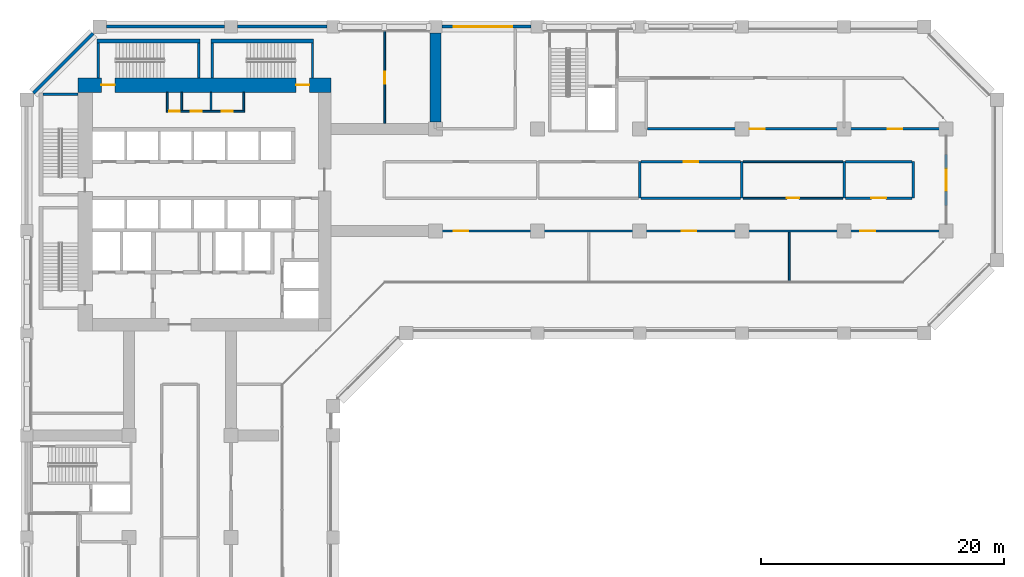
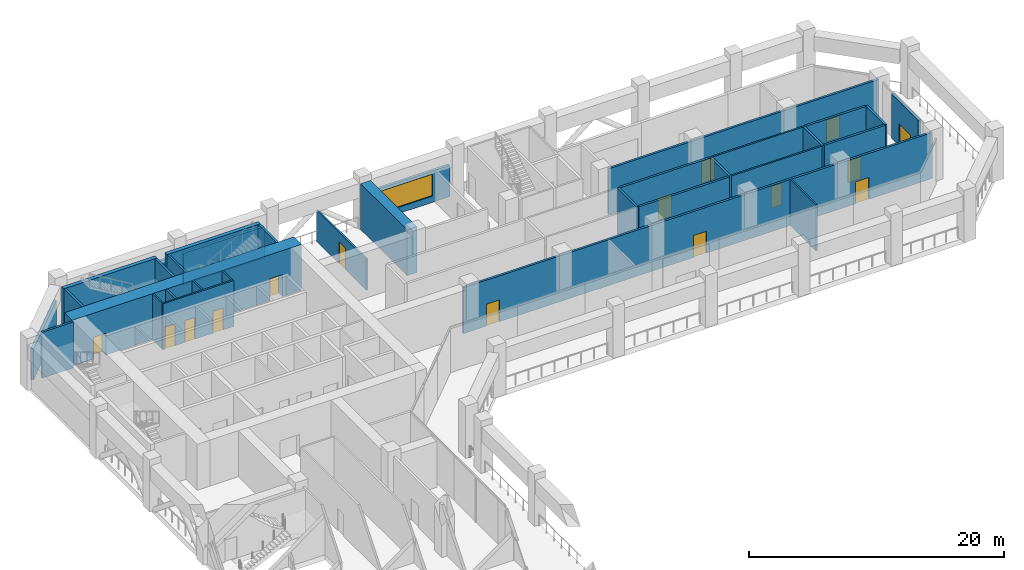
# One storey, part 9 of 19: 33 walls, 15 doors, 1 window, 16 openings.
"""IFC4 building model written with IfcOpenShell, lengths in metres."""

import ifcopenshell
import ifcopenshell.guid

model = None  # the IFC model being written
_history = None  # IfcOwnerHistory: only IFC2X3 demands one
_inside = {}  # id of a spatial element -> (the spatial element, [elements in it])
_under = {}  # id of a project, library or spatial element -> (it, [spatial elements below it])
_declared = {}  # id of a project -> (the project, [libraries it declares])
_typed = {}  # id of a type object -> (the type object, [elements of that type])
_made_of = {}  # id of a material, layer set ... -> (it, [elements and type objects made of it])


def new_model(schema):
    """Start an empty IFC model of exactly this schema.

    Asked for "IFC4X3", IfcOpenShell would pick the latest addendum, in which some entities
    have other attributes; the version numbers below select the first issue.
    IFC2X3 requires an IfcOwnerHistory on every rooted entity: one is made here for all.
    """
    global model, _history
    if schema == "IFC4X3":
        model = ifcopenshell.file(schema_version=(4, 3, 0, 0))
    else:
        model = ifcopenshell.file(schema=schema)
    _inside.clear()
    _under.clear()
    _declared.clear()
    _typed.clear()
    _made_of.clear()
    _history = None
    if model.schema == "IFC2X3":
        org = make("IfcOrganization", Name="unknown")
        user = make(
            "IfcPersonAndOrganization",
            ThePerson=make("IfcPerson", FamilyName="unknown"),
            TheOrganization=org,
        )
        app = make(
            "IfcApplication",
            ApplicationDeveloper=org,
            Version="unknown",
            ApplicationFullName="unknown",
            ApplicationIdentifier="unknown",
        )
        _history = make(
            "IfcOwnerHistory",
            OwningUser=user,
            OwningApplication=app,
            ChangeAction="ADDED",
            CreationDate=0,
        )
    return model


def make(cls, **values):
    """One entity of the class cls with the attributes given. An attribute that is None is left unset."""
    return model.create_entity(
        cls, **{name: value for name, value in values.items() if value is not None}
    )


def rooted(cls, **values):
    """An entity with a GlobalId (a new one), such as an element, a storey or a relation."""
    return make(cls, GlobalId=ifcopenshell.guid.new(), OwnerHistory=_history, **values)


def si_unit(unit_type, name, prefix=None):
    """IfcSIUnit, for example si_unit("LENGTHUNIT", "METRE", prefix="MILLI")."""
    return make("IfcSIUnit", UnitType=unit_type, Prefix=prefix, Name=name)


def assignment(units):
    """IfcUnitAssignment: the units of a project."""
    return None if units is None else make("IfcUnitAssignment", Units=units)


def point(xyz):
    """IfcCartesianPoint."""
    return None if xyz is None else make("IfcCartesianPoint", Coordinates=xyz)


def direction(xyz):
    """IfcDirection."""
    return None if xyz is None else make("IfcDirection", DirectionRatios=xyz)


def frame(location, z_axis=None, x_axis=None):
    """IfcAxis2Placement3D, a coordinate frame: its origin and axes. An axis left out is left unset."""
    return make(
        "IfcAxis2Placement3D",
        Location=point(location),
        Axis=direction(z_axis),
        RefDirection=direction(x_axis),
    )


def frame_2d(location, x_axis=None):
    """IfcAxis2Placement2D, a coordinate frame in the plane: its origin and x axis."""
    return make(
        "IfcAxis2Placement2D", Location=point(location), RefDirection=direction(x_axis)
    )


def origin():
    """The frame at (0, 0, 0) with its axes left unset."""
    return frame((0.0, 0.0, 0.0))


def place(relative_to, where):
    """IfcLocalPlacement: puts the frame where relative to a parent placement (None: the world)."""
    return make(
        "IfcLocalPlacement", PlacementRelTo=relative_to, RelativePlacement=where
    )


def context(
    kind, dimensions, precision=None, world=None, true_north=None, identifier=None
):
    """IfcGeometricRepresentationContext, for example the 3D "Model" context."""
    return make(
        "IfcGeometricRepresentationContext",
        ContextIdentifier=identifier,
        ContextType=kind,
        CoordinateSpaceDimension=dimensions,
        Precision=precision,
        WorldCoordinateSystem=world,
        TrueNorth=true_north,
    )


def subcontext(parent, identifier, kind, view, scale=None):
    """IfcGeometricRepresentationSubContext, for example "Body" below "Model"."""
    return make(
        "IfcGeometricRepresentationSubContext",
        ContextIdentifier=identifier,
        ContextType=kind,
        ParentContext=parent,
        TargetScale=scale,
        TargetView=view,
    )


def project(units=None, contexts=None):
    """IfcProject with its units and contexts."""
    return rooted(
        "IfcProject",
        Name="project",
        RepresentationContexts=contexts,
        UnitsInContext=assignment(units),
    )


def spatial(cls, under=None, at=None, **own):
    """A site, building, storey or space (cls), placed at a placement, below another one or the project."""
    s = rooted(cls, ObjectPlacement=at, **own)
    if under is not None:
        _under.setdefault(under.id(), (under, []))[1].append(s)
    return s


def profile(cls, at=None, kind="AREA", **sizes):
    """A parametric profile (cls). Its sizes go by their IFC names, for example OverallWidth=200.0."""
    return make(cls, ProfileType=kind, Position=at, **sizes)


def rectangle(**sizes):
    """IfcRectangleProfileDef."""
    return profile("IfcRectangleProfileDef", **sizes)


def extrude(swept, where, along, depth):
    """IfcExtrudedAreaSolid: the profile swept, set in the frame where, extruded along a direction by depth."""
    return make(
        "IfcExtrudedAreaSolid",
        SweptArea=swept,
        Position=where,
        ExtrudedDirection=direction(along),
        Depth=depth,
    )


def shape(context_of_items, identifier, shape_type, items):
    """IfcShapeRepresentation: the items that make up one representation, for example the "Body"."""
    return make(
        "IfcShapeRepresentation",
        ContextOfItems=context_of_items,
        RepresentationIdentifier=identifier,
        RepresentationType=shape_type,
        Items=items,
    )


def material(Name=None, Category=None):
    """IfcMaterial."""
    return make("IfcMaterial", Name=Name, Category=Category)


def layer(
    of_material, thickness, ventilated=None, Name=None, Category=None, Priority=None
):
    """IfcMaterialLayer: one layer of a wall or slab, of a material (None: an air gap)."""
    return make(
        "IfcMaterialLayer",
        Material=of_material,
        LayerThickness=thickness,
        IsVentilated=ventilated,
        Name=Name,
        Category=Category,
        Priority=Priority,
    )


def layer_set(layers, Name=None):
    """IfcMaterialLayerSet."""
    return make("IfcMaterialLayerSet", MaterialLayers=layers, LayerSetName=Name)


def made_of(thing, what):
    """Note that an element or type object is made of a material, layer set ...; save() writes the relation."""
    if what is not None:
        _made_of.setdefault(what.id(), (what, []))[1].append(thing)
    return thing


def type_object(cls, material=None, **own):
    """A type object (cls), such as IfcWallType, which elements share."""
    return made_of(rooted(cls, **own), material)


def element(
    cls,
    number,
    at=None,
    inside=None,
    cuts=None,
    type_object=None,
    material=None,
    context=None,
    identifier="Body",
    shape_type=None,
    held_by="IfcProductDefinitionShape",
    body=None,
    shapes=None,
    **own,
):
    """One element of the class cls, such as IfcWall. Its Tag is "e" and its number.

    at: its placement. inside: the storey or other place that contains it. cuts: it is an
    opening in that element (IfcRelVoidsElement). A single representation is given by context,
    identifier, shape_type and body (its items); several are given by shapes. held_by: the class
    of the entity that holds the representations. save() writes the other relations.
    """
    e = rooted(cls, Tag="e%d" % number, ObjectPlacement=at, **own)
    if body is not None:
        shapes = [shape(context, identifier, shape_type, body)]
    if shapes is not None:
        e.Representation = make(held_by, Representations=shapes)
    if inside is not None:
        _inside.setdefault(inside.id(), (inside, []))[1].append(e)
    if cuts is not None:
        rooted(
            "IfcRelVoidsElement", RelatingBuildingElement=cuts, RelatedOpeningElement=e
        )
    if type_object is not None:
        _typed.setdefault(type_object.id(), (type_object, []))[1].append(e)
    return made_of(e, material)


def fill(opening, filler):
    """IfcRelFillsElement: the door or window that sits in an opening."""
    return rooted(
        "IfcRelFillsElement",
        RelatingOpeningElement=opening,
        RelatedBuildingElement=filler,
    )


def aggregate(whole, parts):
    """IfcRelAggregates: a whole, such as a stair, and the parts it consists of."""
    return rooted("IfcRelAggregates", RelatingObject=whole, RelatedObjects=parts)


def save(model, path):
    """Write the relations noted so far, then the file.

    IfcRelAggregates (storeys below a building ...), IfcRelContainedInSpatialStructure (elements
    in a storey), IfcRelDefinesByType, IfcRelAssociatesMaterial and IfcRelDeclares: one each for
    every whole, place, type object, material and project.
    """
    for whole, parts in _under.values():
        aggregate(whole, parts)
    for where, things in _inside.values():
        rooted(
            "IfcRelContainedInSpatialStructure",
            RelatedElements=things,
            RelatingStructure=where,
        )
    for kind, things in _typed.values():
        rooted("IfcRelDefinesByType", RelatedObjects=things, RelatingType=kind)
    for what, things in _made_of.values():
        rooted("IfcRelAssociatesMaterial", RelatedObjects=things, RelatingMaterial=what)
    for by, libraries in _declared.values():
        rooted("IfcRelDeclares", RelatingContext=by, RelatedDefinitions=libraries)
    model.write(path)


model = new_model("IFC4")

# Units and contexts
model_context = context("Model", 3, precision=1e-05, world=origin(), true_north=direction((0.0, 1.0)))
body_context = subcontext(model_context, "Body", "Model", "MODEL_VIEW")
ifc_project = project(units=[si_unit("LENGTHUNIT", "METRE"), si_unit("AREAUNIT", "SQUARE_METRE"), si_unit("VOLUMEUNIT", "CUBIC_METRE"), si_unit("PLANEANGLEUNIT", "RADIAN"), si_unit("MASSUNIT", "GRAM", prefix="KILO")], contexts=[model_context])

# Site, building, storey
site_placement = place(None, origin())
site = spatial("IfcSite", under=ifc_project, at=site_placement, CompositionType="ELEMENT")
building_placement = place(site_placement, origin())
building = spatial("IfcBuilding", under=site, at=building_placement, Name="Kawkab Arch Medical Tower", CompositionType="ELEMENT")
storey_placement = place(building_placement, frame((0.0, 0.0, 93.800048828125)))
storey = spatial("IfcBuildingStorey", under=building, at=storey_placement, Name="L21", CompositionType="ELEMENT", Elevation=93.800048828125)

# Wall
ifc_material_1 = material(Name="Concrete C55/67", Category="concrete")
ifc_layer_1 = layer(ifc_material_1, 0.89990234375)
ifc_layer_set_1 = layer_set([ifc_layer_1], Name="Concrete C55/67")
wall_type_1 = type_object("IfcWallType", Name="Belt wall 900 C55/67", PredefinedType="SHEAR", material=ifc_layer_set_1)
wall_1_placement = place(storey_placement, frame((33.60009765625, -0.52490234375, 0.0), z_axis=(0.0, 0.0, 1.0), x_axis=(0.0, -1.0, 0.0)))
element("IfcWall", 1, at=wall_1_placement, inside=storey, type_object=wall_type_1, Name="Belt wall BW-L21-3", PredefinedType="SHEAR", context=body_context, shape_type="SweptSolid", body=[
    extrude(rectangle(XDim=7.300048828125, YDim=0.89990234375, at=frame_2d((3.64990234375, 0.0))), origin(), (0.0, 0.0, 1.0), 4.39990234375),
])

# Wall, openings, doors
ifc_material_2 = material(Name="Concrete C60/75", Category="concrete")
ifc_layer_2 = layer(ifc_material_2, 1.199951171875)
ifc_layer_set_2 = layer_set([ifc_layer_2], Name="Concrete C60/75")
wall_type_2 = type_object("IfcWallType", Name="Core ring wall 1200 C60/75", PredefinedType="SHEAR", material=ifc_layer_set_2)
wall_2_placement = place(storey_placement, frame((4.199951171875, -4.800048828125, 0.0), z_axis=(0.0, 0.0, 1.0), x_axis=(1.0, 0.0, 0.0)))
wall_2 = element("IfcWall", 2, at=wall_2_placement, inside=storey, type_object=wall_type_2, Name="L21 core wall", PredefinedType="SHEAR", context=body_context, shape_type="SweptSolid", body=[
    extrude(rectangle(XDim=20.800048828125, YDim=1.199951171875, at=frame_2d((10.39990234375, 0.0))), origin(), (0.0, 0.0, 1.0), 4.39990234375),
])
opening_1_placement = place(wall_2_placement, frame((1.949951171875, 0.0, 0.0)))
opening_1 = element("IfcOpeningElement", 3, at=opening_1_placement, cuts=wall_2, Name="Opening SD", PredefinedType="OPENING", context=body_context, shape_type="SweptSolid", body=[
    extrude(rectangle(XDim=1.10009765625, YDim=2.10009765625, at=frame_2d((0.550048828125, 1.050048828125))), frame((0.0, 0.60986328125, 0.0), z_axis=(0.0, -1.0, 0.0), x_axis=(1.0, 0.0, 0.0)), (0.0, 0.0, 1.0), 1.219970703125),
])
opening_2_placement = place(wall_2_placement, frame((17.949951171875, 0.0, 0.0)))
opening_2 = element("IfcOpeningElement", 4, at=opening_2_placement, cuts=wall_2, Name="Opening SD", PredefinedType="OPENING", context=body_context, shape_type="SweptSolid", body=[
    extrude(rectangle(XDim=1.10009765625, YDim=2.10009765625, at=frame_2d((0.550048828125, 1.050048828125))), frame((0.0, 0.60986328125, 0.0), z_axis=(0.0, -1.0, 0.0), x_axis=(1.0, 0.0, 0.0)), (0.0, 0.0, 1.0), 1.219970703125),
])
ifc_material_3 = material(Name="Hollow metal fire door leaf")
door_type_1 = type_object("IfcDoorType", Name="Exit stair door 1100", OperationType="SINGLE_SWING_LEFT", PredefinedType="DOOR", material=ifc_material_3)
door_1_placement = place(opening_1_placement, origin())
door_1 = element("IfcDoor", 5, at=door_1_placement, inside=storey, type_object=door_type_1, Name="L21 Exit stair ST3 door", OperationType="SINGLE_SWING_LEFT", OverallHeight=2.10009765625, OverallWidth=1.10009765625, PredefinedType="DOOR", context=body_context, shape_type="SweptSolid", body=[
    extrude(rectangle(XDim=1.10009765625, YDim=2.10009765625, at=frame_2d((0.550048828125, 1.050048828125))), frame((0.0, 0.02490234375, 0.0), z_axis=(0.0, -1.0, 0.0), x_axis=(1.0, 0.0, 0.0)), (0.0, 0.0, 1.0), 0.050048828125),
])
fill(opening_1, door_1)
door_2_placement = place(opening_2_placement, origin())
door_2 = element("IfcDoor", 6, at=door_2_placement, inside=storey, type_object=door_type_1, Name="L21 Exit stair ST4 door", OperationType="SINGLE_SWING_LEFT", OverallHeight=2.10009765625, OverallWidth=1.10009765625, PredefinedType="DOOR", context=body_context, shape_type="SweptSolid", body=[
    extrude(rectangle(XDim=1.10009765625, YDim=2.10009765625, at=frame_2d((0.550048828125, 1.050048828125))), frame((0.0, 0.02490234375, 0.0), z_axis=(0.0, -1.0, 0.0), x_axis=(1.0, 0.0, 0.0)), (0.0, 0.0, 1.0), 0.050048828125),
])
fill(opening_2, door_2)

ifc_material_4 = material(Name="Gypsum board on steel studs", Category="steel")
ifc_layer_3 = layer(ifc_material_4, 0.14990234375)
ifc_layer_set_3 = layer_set([ifc_layer_3], Name="Gypsum board on steel studs")
wall_type_3 = type_object("IfcWallType", Name="Core room partition 150", PredefinedType="PARTITIONING", material=ifc_layer_set_3)
wall_3_placement = place(storey_placement, frame((11.47509765625, -6.949951171875, 0.0), z_axis=(0.0, 0.0, 1.0), x_axis=(1.0, 0.0, 0.0)))
wall_3 = element("IfcWall", 7, at=wall_3_placement, inside=storey, type_object=wall_type_3, Name="L21 core room partition", PredefinedType="PARTITIONING", context=body_context, shape_type="SweptSolid", body=[
    extrude(rectangle(XDim=6.449951171875, YDim=0.14990234375, at=frame_2d((3.22509765625, 0.0))), origin(), (0.0, 0.0, 1.0), 4.39990234375),
])
opening_3_placement = place(wall_3_placement, frame((0.22509765625, 0.0, 0.0)))
opening_3 = element("IfcOpeningElement", 8, at=opening_3_placement, cuts=wall_3, Name="Opening RD", PredefinedType="OPENING", context=body_context, shape_type="SweptSolid", body=[
    extrude(rectangle(XDim=0.89990234375, YDim=2.10009765625, at=frame_2d((0.449951171875, 1.050048828125))), frame((0.0, 0.0849609375, 0.0), z_axis=(0.0, -1.0, 0.0), x_axis=(1.0, 0.0, 0.0)), (0.0, 0.0, 1.0), 0.169921875),
])
opening_4_placement = place(wall_3_placement, frame((2.02490234375, 0.0, 0.0)))
opening_4 = element("IfcOpeningElement", 9, at=opening_4_placement, cuts=wall_3, Name="Opening RD", PredefinedType="OPENING", context=body_context, shape_type="SweptSolid", body=[
    extrude(rectangle(XDim=0.89990234375, YDim=2.10009765625, at=frame_2d((0.449951171875, 1.050048828125))), frame((0.0, 0.0849609375, 0.0), z_axis=(0.0, -1.0, 0.0), x_axis=(1.0, 0.0, 0.0)), (0.0, 0.0, 1.0), 0.169921875),
])
opening_5_placement = place(wall_3_placement, frame((4.574951171875, 0.0, 0.0)))
opening_5 = element("IfcOpeningElement", 10, at=opening_5_placement, cuts=wall_3, Name="Opening RD", PredefinedType="OPENING", context=body_context, shape_type="SweptSolid", body=[
    extrude(rectangle(XDim=0.89990234375, YDim=2.10009765625, at=frame_2d((0.449951171875, 1.050048828125))), frame((0.0, 0.0849609375, 0.0), z_axis=(0.0, -1.0, 0.0), x_axis=(1.0, 0.0, 0.0)), (0.0, 0.0, 1.0), 0.169921875),
])
ifc_material_5 = material(Name="Hollow metal fire door leaf")
door_type_2 = type_object("IfcDoorType", Name="Core room door 900", OperationType="SINGLE_SWING_LEFT", PredefinedType="DOOR", material=ifc_material_5)
door_3_placement = place(opening_3_placement, origin())
door_3 = element("IfcDoor", 11, at=door_3_placement, inside=storey, type_object=door_type_2, Name="L21 Electrical riser room door", OperationType="SINGLE_SWING_LEFT", OverallHeight=2.10009765625, OverallWidth=0.89990234375, PredefinedType="DOOR", context=body_context, shape_type="SweptSolid", body=[
    extrude(rectangle(XDim=0.89990234375, YDim=2.10009765625, at=frame_2d((0.449951171875, 1.050048828125))), frame((0.0, 0.02490234375, 0.0), z_axis=(0.0, -1.0, 0.0), x_axis=(1.0, 0.0, 0.0)), (0.0, 0.0, 1.0), 0.050048828125),
])
fill(opening_3, door_3)
door_4_placement = place(opening_4_placement, origin())
door_4 = element("IfcDoor", 12, at=door_4_placement, inside=storey, type_object=door_type_2, Name="L21 Linen store door", OperationType="SINGLE_SWING_LEFT", OverallHeight=2.10009765625, OverallWidth=0.89990234375, PredefinedType="DOOR", context=body_context, shape_type="SweptSolid", body=[
    extrude(rectangle(XDim=0.89990234375, YDim=2.10009765625, at=frame_2d((0.449951171875, 1.050048828125))), frame((0.0, 0.02490234375, 0.0), z_axis=(0.0, -1.0, 0.0), x_axis=(1.0, 0.0, 0.0)), (0.0, 0.0, 1.0), 0.050048828125),
])
fill(opening_4, door_4)
door_5_placement = place(opening_5_placement, origin())
door_5 = element("IfcDoor", 13, at=door_5_placement, inside=storey, type_object=door_type_2, Name="L21 Clean utility room door", OperationType="SINGLE_SWING_LEFT", OverallHeight=2.10009765625, OverallWidth=0.89990234375, PredefinedType="DOOR", context=body_context, shape_type="SweptSolid", body=[
    extrude(rectangle(XDim=0.89990234375, YDim=2.10009765625, at=frame_2d((0.449951171875, 1.050048828125))), frame((0.0, 0.02490234375, 0.0), z_axis=(0.0, -1.0, 0.0), x_axis=(1.0, 0.0, 0.0)), (0.0, 0.0, 1.0), 0.050048828125),
])
fill(opening_5, door_5)

# Walls
for number, where, z_axis, x_axis, name in (
    (14, (11.550048828125, -6.875, 0.0), (0.0, 0.0, 1.0), (0.0, 1.0, 0.0), "L21 core room partition"),
    (15, (12.75, -6.875, 0.0), (0.0, 0.0, 1.0), (0.0, 1.0, 0.0), "L21 core room partition"),
    (16, (15.14990234375, -6.875, 0.0), (0.0, 0.0, 1.0), (0.0, 1.0, 0.0), "L21 core room partition"),
    (17, (17.85009765625, -6.875, 0.0), (0.0, 0.0, 1.0), (0.0, 1.0, 0.0), "L21 core room partition"),
):
    element("IfcWall", number, at=place(storey_placement, frame(where, z_axis=z_axis, x_axis=x_axis)), inside=storey, type_object=wall_type_3, Name=name, PredefinedType="PARTITIONING", context=body_context, shape_type="SweptSolid", body=[
        extrude(rectangle(XDim=1.47509765625, YDim=0.14990234375, at=frame_2d((0.737548828125, 0.0))), origin(), (0.0, 0.0, 1.0), 4.39990234375),
    ])
ifc_material_6 = material(Name="Bronze clad insulated wall panel")
ifc_layer_4 = layer(ifc_material_6, 0.25)
ifc_layer_set_4 = layer_set([ifc_layer_4], Name="Bronze clad insulated wall panel")
wall_type_4 = type_object("IfcWallType", Name="External wall bay 250", PredefinedType="SOLIDWALL", material=ifc_layer_set_4)
wall_4_placement = place(storey_placement, frame((5.449951171875, -0.550048828125, 0.0), z_axis=(0.0, 0.0, 1.0), x_axis=(-0.707106781187, -0.707106781187, 0.0)))
element("IfcWall", 18, at=wall_4_placement, inside=storey, type_object=wall_type_4, Name="Plant wall L21.R01.1", PredefinedType="SOLIDWALL", context=body_context, shape_type="SweptSolid", body=[
    extrude(rectangle(XDim=6.929443359375, YDim=0.25, at=frame_2d((3.46484375, 0.0))), origin(), (0.0, 0.0, 1.0), 3.0),
])

# Wall, opening, door
wall_5_placement = place(storey_placement, frame((75.60009765625, -14.699951171875, 0.0), z_axis=(0.0, 0.0, 1.0), x_axis=(0.0, 1.0, 0.0)))
wall_5 = element("IfcWall", 19, at=wall_5_placement, inside=storey, type_object=wall_type_4, Name="External wall bay L21.R13.1.2", PredefinedType="SOLIDWALL", context=body_context, shape_type="SweptSolid", body=[
    extrude(rectangle(XDim=4.199951171875, YDim=0.25, at=frame_2d((2.10009765625, 0.0))), origin(), (0.0, 0.0, 1.0), 4.239990234375),
])
opening_6_placement = place(wall_5_placement, frame((1.199951171875, 0.0, 0.0)))
opening_6 = element("IfcOpeningElement", 20, at=opening_6_placement, cuts=wall_5, Name="Opening PL1B-702", PredefinedType="OPENING", context=body_context, shape_type="SweptSolid", body=[
    extrude(rectangle(XDim=1.800048828125, YDim=2.10009765625, at=frame_2d((0.89990234375, 1.050048828125))), frame((0.0, 0.135009765625, 0.0), z_axis=(0.0, -1.0, 0.0), x_axis=(1.0, 0.0, 0.0)), (0.0, 0.0, 1.0), 0.27001953125),
])
ifc_material_7 = material(Name="Bronze anodised aluminium door with tinted glass", Category="aluminium")
door_type_3 = type_object("IfcDoorType", Name="Double external door 1800 x 2100", OperationType="DOUBLE_DOOR_SINGLE_SWING", PredefinedType="DOOR", material=ifc_material_7)
door_6_placement = place(opening_6_placement, origin())
door_6 = element("IfcDoor", 21, at=door_6_placement, inside=storey, type_object=door_type_3, Name="External door L21.R13.1.2", OperationType="DOUBLE_DOOR_SINGLE_SWING", OverallHeight=2.10009765625, OverallWidth=1.800048828125, PredefinedType="DOOR", context=body_context, shape_type="SweptSolid", body=[
    extrude(rectangle(XDim=1.800048828125, YDim=2.10009765625, at=frame_2d((0.89990234375, 1.050048828125))), frame((0.0, 0.02490234375, 0.0), z_axis=(0.0, -1.0, 0.0), x_axis=(1.0, 0.0, 0.0)), (0.0, 0.0, 1.0), 0.050048828125),
])
fill(opening_6, door_6)

# Wall, opening, window
wall_6_placement = place(storey_placement, frame((41.47509765625, 0.0, 0.0), z_axis=(0.0, 0.0, 1.0), x_axis=(-1.0, 0.0, 0.0)))
wall_6 = element("IfcWall", 22, at=wall_6_placement, inside=storey, type_object=wall_type_4, Name="Plant wall L21.R18.2", PredefinedType="SOLIDWALL", context=body_context, shape_type="SweptSolid", body=[
    extrude(rectangle(XDim=7.35009765625, YDim=0.25, at=frame_2d((3.675048828125, 0.0))), origin(), (0.0, 0.0, 1.0), 3.0),
])
opening_7_placement = place(wall_6_placement, frame((1.574951171875, 0.0, 0.60009765625)))
opening_7 = element("IfcOpeningElement", 23, at=opening_7_placement, cuts=wall_6, Name="Opening PW480-21-S6", PredefinedType="OPENING", context=body_context, shape_type="SweptSolid", body=[
    extrude(rectangle(XDim=4.800048828125, YDim=2.10009765625, at=frame_2d((2.39990234375, 1.050048828125))), frame((0.0, 0.135009765625, 0.0), z_axis=(0.0, -1.0, 0.0), x_axis=(1.0, 0.0, 0.0)), (0.0, 0.0, 1.0), 0.27001953125),
])
ifc_material_8 = material(Name="Bronze anodised aluminium louvred window", Category="aluminium")
window_type = type_object("IfcWindowType", Name="Plant louvre window 4800 x 2100 sill 600", PartitioningType="DOUBLE_PANEL_VERTICAL", PredefinedType="WINDOW", material=ifc_material_8)
window_placement = place(opening_7_placement, origin())
window = element("IfcWindow", 24, at=window_placement, inside=storey, type_object=window_type, Name="Plant louvre window L21.R18.2", OverallHeight=2.10009765625, OverallWidth=4.800048828125, PartitioningType="SINGLE_PANEL", PredefinedType="WINDOW", context=body_context, shape_type="SweptSolid", body=[
    extrude(rectangle(XDim=4.800048828125, YDim=2.10009765625, at=frame_2d((2.39990234375, 1.050048828125))), frame((0.0, 0.030029296875, 0.0), z_axis=(0.0, -1.0, 0.0), x_axis=(1.0, 0.0, 0.0)), (0.0, 0.0, 1.0), 0.06005859375),
])
fill(opening_7, window)

# Walls
wall_7_placement = place(storey_placement, frame((24.675048828125, 0.0, 0.0), z_axis=(0.0, 0.0, 1.0), x_axis=(-1.0, 0.0, 0.0)))
element("IfcWall", 25, at=wall_7_placement, inside=storey, type_object=wall_type_4, Name="Plant wall L21.R18.4", PredefinedType="SOLIDWALL", context=body_context, shape_type="SweptSolid", body=[
    extrude(rectangle(XDim=7.35009765625, YDim=0.25, at=frame_2d((3.675048828125, 0.0))), origin(), (0.0, 0.0, 1.0), 3.0),
])
wall_8_placement = place(storey_placement, frame((16.27490234375, 0.0, 0.0), z_axis=(0.0, 0.0, 1.0), x_axis=(-1.0, 0.0, 0.0)))
element("IfcWall", 26, at=wall_8_placement, inside=storey, type_object=wall_type_4, Name="Plant wall L21.R18.5", PredefinedType="SOLIDWALL", context=body_context, shape_type="SweptSolid", body=[
    extrude(rectangle(XDim=9.724853515625, YDim=0.25, at=frame_2d((4.8623046875, 0.0))), origin(), (0.0, 0.0, 1.0), 3.0),
])

# Wall, opening, door
ifc_material_9 = material(Name="Gypsum board partition on steel studs, mineral wool", Category="steel")
ifc_layer_5 = layer(ifc_material_9, 0.14990234375)
ifc_layer_set_5 = layer_set([ifc_layer_5], Name="Gypsum board partition on steel studs, mineral wool")
wall_type_5 = type_object("IfcWallType", Name="Partition 150", PredefinedType="PARTITIONING", material=ifc_layer_set_5)
wall_9_placement = place(storey_placement, frame((58.89990234375, -14.10009765625, 0.0), z_axis=(0.0, 0.0, 1.0), x_axis=(1.0, 0.0, 0.0)))
wall_9 = element("IfcWall", 27, at=wall_9_placement, inside=storey, type_object=wall_type_5, Name="Partition 150 w009", PredefinedType="PARTITIONING", context=body_context, shape_type="SweptSolid", body=[
    extrude(rectangle(XDim=8.2001953125, YDim=0.14990234375, at=frame_2d((4.10009765625, 0.0))), origin(), (0.0, 0.0, 1.0), 4.39990234375),
])
opening_8_placement = place(wall_9_placement, frame((3.60009765625, 0.0, 0.0)))
opening_8 = element("IfcOpeningElement", 28, at=opening_8_placement, cuts=wall_9, Name="Opening PL1B-002", PredefinedType="OPENING", context=body_context, shape_type="SweptSolid", body=[
    extrude(rectangle(XDim=1.0, YDim=2.10009765625, at=frame_2d((0.5, 1.050048828125))), frame((0.0, 0.0849609375, 0.0), z_axis=(0.0, -1.0, 0.0), x_axis=(1.0, 0.0, 0.0)), (0.0, 0.0, 1.0), 0.169921875),
])
ifc_material_10 = material(Name="Hollow metal door leaf")
door_type_4 = type_object("IfcDoorType", Name="Single door 1000x2100 FD30S", OperationType="NOTDEFINED", PredefinedType="DOOR", material=ifc_material_10)
door_7_placement = place(opening_8_placement, origin())
door_7 = element("IfcDoor", 29, at=door_7_placement, inside=storey, type_object=door_type_4, Name="Door PL1B-002", OperationType="SINGLE_SWING_LEFT", OverallHeight=2.10009765625, OverallWidth=1.0, PredefinedType="DOOR", context=body_context, shape_type="SweptSolid", body=[
    extrude(rectangle(XDim=1.0, YDim=2.10009765625, at=frame_2d((0.5, 1.050048828125))), frame((0.0, 0.02490234375, 0.0), z_axis=(0.0, -1.0, 0.0), x_axis=(1.0, 0.0, 0.0)), (0.0, 0.0, 1.0), 0.050048828125),
])
fill(opening_8, door_7)

# Wall
wall_10_placement = place(storey_placement, frame((58.89990234375, -11.10009765625, 0.0), z_axis=(0.0, 0.0, 1.0), x_axis=(1.0, 0.0, 0.0)))
element("IfcWall", 30, at=wall_10_placement, inside=storey, type_object=wall_type_5, Name="Partition 150 w011", PredefinedType="PARTITIONING", context=body_context, shape_type="SweptSolid", body=[
    extrude(rectangle(XDim=8.2001953125, YDim=0.14990234375, at=frame_2d((4.10009765625, 0.0))), origin(), (0.0, 0.0, 1.0), 4.39990234375),
])

# Wall, opening, door
wall_11_placement = place(storey_placement, frame((29.43994140625, -7.950927734375, 0.0), z_axis=(0.0, 0.0, 1.0), x_axis=(0.0, 1.0, 0.0)))
wall_11 = element("IfcWall", 31, at=wall_11_placement, inside=storey, type_object=wall_type_5, Name="Partition 150 w014", PredefinedType="PARTITIONING", context=body_context, shape_type="SweptSolid", body=[
    extrude(rectangle(XDim=7.7509765625, YDim=0.14990234375, at=frame_2d((3.87548828125, 0.0))), origin(), (0.0, 0.0, 1.0), 3.0),
])
opening_9_placement = place(wall_11_placement, frame((3.251953125, 0.0, 0.0)))
opening_9 = element("IfcOpeningElement", 32, at=opening_9_placement, cuts=wall_11, Name="Opening PL1B-004", PredefinedType="OPENING", context=body_context, shape_type="SweptSolid", body=[
    extrude(rectangle(XDim=1.0, YDim=2.10009765625, at=frame_2d((0.5, 1.050048828125))), frame((0.0, 0.0849609375, 0.0), z_axis=(0.0, -1.0, 0.0), x_axis=(1.0, 0.0, 0.0)), (0.0, 0.0, 1.0), 0.169921875),
])
door_8_placement = place(opening_9_placement, origin())
door_8 = element("IfcDoor", 33, at=door_8_placement, inside=storey, type_object=door_type_4, Name="Door PL1B-004", OperationType="SINGLE_SWING_RIGHT", OverallHeight=2.10009765625, OverallWidth=1.0, PredefinedType="DOOR", context=body_context, shape_type="SweptSolid", body=[
    extrude(rectangle(XDim=1.0, YDim=2.10009765625, at=frame_2d((0.5, 1.050048828125))), frame((0.0, 0.02490234375, 0.0), z_axis=(0.0, -1.0, 0.0), x_axis=(1.0, 0.0, 0.0)), (0.0, 0.0, 1.0), 0.050048828125),
])
fill(opening_9, door_8)

# Wall
wall_12_placement = place(storey_placement, frame((62.699951171875, -20.919921875, 0.0), z_axis=(0.0, 0.0, 1.0), x_axis=(0.0, 1.0, 0.0)))
element("IfcWall", 34, at=wall_12_placement, inside=storey, type_object=wall_type_5, Name="Partition 150 w016", PredefinedType="PARTITIONING", context=body_context, shape_type="SweptSolid", body=[
    extrude(rectangle(XDim=4.02001953125, YDim=0.14990234375, at=frame_2d((2.010009765625, 0.0))), origin(), (0.0, 0.0, 1.0), 4.39990234375),
])

# Wall, openings, doors
ifc_material_11 = material(Name="Fire-rated gypsum board partition on steel studs", Category="steel")
ifc_layer_6 = layer(ifc_material_11, 0.199951171875)
ifc_layer_set_6 = layer_set([ifc_layer_6], Name="Fire-rated gypsum board partition on steel studs")
wall_type_6 = type_object("IfcWallType", Name="Protected partition 200", PredefinedType="PARTITIONING", material=ifc_layer_set_6)
wall_13_placement = place(storey_placement, frame((33.02490234375, -16.800048828125, 0.0), z_axis=(0.0, 0.0, 1.0), x_axis=(1.0, 0.0, 0.0)))
wall_13 = element("IfcWall", 35, at=wall_13_placement, inside=storey, type_object=wall_type_6, Name="Protected partition 200 w023", PredefinedType="PARTITIONING", context=body_context, shape_type="SweptSolid", body=[
    extrude(rectangle(XDim=42.4951171875, YDim=0.199951171875, at=frame_2d((21.24755859375, 0.0))), origin(), (0.0, 0.0, 1.0), 4.39990234375),
])
opening_10_placement = place(wall_13_placement, frame((2.074951171875, 0.0, 0.0)))
opening_10 = element("IfcOpeningElement", 36, at=opening_10_placement, cuts=wall_13, Name="Opening PL1B-010", PredefinedType="OPENING", context=body_context, shape_type="SweptSolid", body=[
    extrude(rectangle(XDim=1.199951171875, YDim=2.10009765625, at=frame_2d((0.60009765625, 1.050048828125))), frame((0.0, 0.10986328125, 0.0), z_axis=(0.0, -1.0, 0.0), x_axis=(1.0, 0.0, 0.0)), (0.0, 0.0, 1.0), 0.219970703125),
])
opening_11_placement = place(wall_13_placement, frame((20.824951171875, 0.0, 0.0)))
opening_11 = element("IfcOpeningElement", 37, at=opening_11_placement, cuts=wall_13, Name="Opening PL1B-011", PredefinedType="OPENING", context=body_context, shape_type="SweptSolid", body=[
    extrude(rectangle(XDim=1.199951171875, YDim=2.10009765625, at=frame_2d((0.60009765625, 1.050048828125))), frame((0.0, 0.10986328125, 0.0), z_axis=(0.0, -1.0, 0.0), x_axis=(1.0, 0.0, 0.0)), (0.0, 0.0, 1.0), 0.219970703125),
])
opening_12_placement = place(wall_13_placement, frame((35.52490234375, 0.0, 0.0)))
opening_12 = element("IfcOpeningElement", 38, at=opening_12_placement, cuts=wall_13, Name="Opening PL1B-012", PredefinedType="OPENING", context=body_context, shape_type="SweptSolid", body=[
    extrude(rectangle(XDim=1.199951171875, YDim=2.10009765625, at=frame_2d((0.60009765625, 1.050048828125))), frame((0.0, 0.10986328125, 0.0), z_axis=(0.0, -1.0, 0.0), x_axis=(1.0, 0.0, 0.0)), (0.0, 0.0, 1.0), 0.219970703125),
])
ifc_material_12 = material(Name="Hollow metal door leaf")
door_type_5 = type_object("IfcDoorType", Name="Single door 1200x2100 FD60", OperationType="NOTDEFINED", PredefinedType="DOOR", material=ifc_material_12)
door_9_placement = place(opening_10_placement, origin())
door_9 = element("IfcDoor", 39, at=door_9_placement, inside=storey, type_object=door_type_5, Name="Door PL1B-010", OperationType="SINGLE_SWING_RIGHT", OverallHeight=2.10009765625, OverallWidth=1.199951171875, PredefinedType="DOOR", context=body_context, shape_type="SweptSolid", body=[
    extrude(rectangle(XDim=1.199951171875, YDim=2.10009765625, at=frame_2d((0.60009765625, 1.050048828125))), frame((0.0, 0.02490234375, 0.0), z_axis=(0.0, -1.0, 0.0), x_axis=(1.0, 0.0, 0.0)), (0.0, 0.0, 1.0), 0.050048828125),
])
fill(opening_10, door_9)
door_10_placement = place(opening_11_placement, origin())
door_10 = element("IfcDoor", 40, at=door_10_placement, inside=storey, type_object=door_type_5, Name="Door PL1B-011", OperationType="SINGLE_SWING_LEFT", OverallHeight=2.10009765625, OverallWidth=1.199951171875, PredefinedType="DOOR", context=body_context, shape_type="SweptSolid", body=[
    extrude(rectangle(XDim=1.199951171875, YDim=2.10009765625, at=frame_2d((0.60009765625, 1.050048828125))), frame((0.0, 0.02490234375, 0.0), z_axis=(0.0, -1.0, 0.0), x_axis=(1.0, 0.0, 0.0)), (0.0, 0.0, 1.0), 0.050048828125),
])
fill(opening_11, door_10)
door_11_placement = place(opening_12_placement, origin())
door_11 = element("IfcDoor", 41, at=door_11_placement, inside=storey, type_object=door_type_5, Name="Door PL1B-012", OperationType="SINGLE_SWING_LEFT", OverallHeight=2.10009765625, OverallWidth=1.199951171875, PredefinedType="DOOR", context=body_context, shape_type="SweptSolid", body=[
    extrude(rectangle(XDim=1.199951171875, YDim=2.10009765625, at=frame_2d((0.60009765625, 1.050048828125))), frame((0.0, 0.02490234375, 0.0), z_axis=(0.0, -1.0, 0.0), x_axis=(1.0, 0.0, 0.0)), (0.0, 0.0, 1.0), 0.050048828125),
])
fill(opening_12, door_11)

# Wall
wall_14_placement = place(storey_placement, frame((50.5, -14.10009765625, 0.0), z_axis=(0.0, 0.0, 1.0), x_axis=(1.0, 0.0, 0.0)))
element("IfcWall", 42, at=wall_14_placement, inside=storey, type_object=wall_type_6, Name="Protected partition 200 w025", PredefinedType="PARTITIONING", context=body_context, shape_type="SweptSolid", body=[
    extrude(rectangle(XDim=8.199951171875, YDim=0.199951171875, at=frame_2d((4.10009765625, 0.0))), origin(), (0.0, 0.0, 1.0), 4.39990234375),
])

# Wall, opening, door
wall_15_placement = place(storey_placement, frame((67.300048828125, -14.10009765625, 0.0), z_axis=(0.0, 0.0, 1.0), x_axis=(1.0, 0.0, 0.0)))
wall_15 = element("IfcWall", 43, at=wall_15_placement, inside=storey, type_object=wall_type_6, Name="Protected partition 200 w026", PredefinedType="PARTITIONING", context=body_context, shape_type="SweptSolid", body=[
    extrude(rectangle(XDim=5.5, YDim=0.199951171875, at=frame_2d((2.75, 0.0))), origin(), (0.0, 0.0, 1.0), 4.39990234375),
])
opening_13_placement = place(wall_15_placement, frame((2.14990234375, 0.0, 0.0)))
opening_13 = element("IfcOpeningElement", 44, at=opening_13_placement, cuts=wall_15, Name="Opening PL1B-009", PredefinedType="OPENING", context=body_context, shape_type="SweptSolid", body=[
    extrude(rectangle(XDim=1.199951171875, YDim=2.10009765625, at=frame_2d((0.60009765625, 1.050048828125))), frame((0.0, 0.10986328125, 0.0), z_axis=(0.0, -1.0, 0.0), x_axis=(1.0, 0.0, 0.0)), (0.0, 0.0, 1.0), 0.219970703125),
])
door_12_placement = place(opening_13_placement, origin())
door_12 = element("IfcDoor", 45, at=door_12_placement, inside=storey, type_object=door_type_5, Name="Door PL1B-009", OperationType="SINGLE_SWING_RIGHT", OverallHeight=2.10009765625, OverallWidth=1.199951171875, PredefinedType="DOOR", context=body_context, shape_type="SweptSolid", body=[
    extrude(rectangle(XDim=1.199951171875, YDim=2.10009765625, at=frame_2d((0.60009765625, 1.050048828125))), frame((0.0, 0.02490234375, 0.0), z_axis=(0.0, -1.0, 0.0), x_axis=(1.0, 0.0, 0.0)), (0.0, 0.0, 1.0), 0.050048828125),
])
fill(opening_13, door_12)

wall_16_placement = place(storey_placement, frame((50.5, -11.10009765625, 0.0), z_axis=(0.0, 0.0, 1.0), x_axis=(1.0, 0.0, 0.0)))
wall_16 = element("IfcWall", 46, at=wall_16_placement, inside=storey, type_object=wall_type_6, Name="Protected partition 200 w028", PredefinedType="PARTITIONING", context=body_context, shape_type="SweptSolid", body=[
    extrude(rectangle(XDim=8.199951171875, YDim=0.199951171875, at=frame_2d((4.10009765625, 0.0))), origin(), (0.0, 0.0, 1.0), 4.39990234375),
])
opening_14_placement = place(wall_16_placement, frame((3.5, 0.0, 0.0)))
opening_14 = element("IfcOpeningElement", 47, at=opening_14_placement, cuts=wall_16, Name="Opening PL1B-008", PredefinedType="OPENING", context=body_context, shape_type="SweptSolid", body=[
    extrude(rectangle(XDim=1.199951171875, YDim=2.10009765625, at=frame_2d((0.60009765625, 1.050048828125))), frame((0.0, 0.10986328125, 0.0), z_axis=(0.0, -1.0, 0.0), x_axis=(1.0, 0.0, 0.0)), (0.0, 0.0, 1.0), 0.219970703125),
])
door_13_placement = place(opening_14_placement, origin())
door_13 = element("IfcDoor", 48, at=door_13_placement, inside=storey, type_object=door_type_5, Name="Door PL1B-008", OperationType="SINGLE_SWING_LEFT", OverallHeight=2.10009765625, OverallWidth=1.199951171875, PredefinedType="DOOR", context=body_context, shape_type="SweptSolid", body=[
    extrude(rectangle(XDim=1.199951171875, YDim=2.10009765625, at=frame_2d((0.60009765625, 1.050048828125))), frame((0.0, 0.02490234375, 0.0), z_axis=(0.0, -1.0, 0.0), x_axis=(1.0, 0.0, 0.0)), (0.0, 0.0, 1.0), 0.050048828125),
])
fill(opening_14, door_13)

# Wall
wall_17_placement = place(storey_placement, frame((67.300048828125, -11.10009765625, 0.0), z_axis=(0.0, 0.0, 1.0), x_axis=(1.0, 0.0, 0.0)))
element("IfcWall", 49, at=wall_17_placement, inside=storey, type_object=wall_type_6, Name="Protected partition 200 w029", PredefinedType="PARTITIONING", context=body_context, shape_type="SweptSolid", body=[
    extrude(rectangle(XDim=5.4970703125, YDim=0.199951171875, at=frame_2d((2.74853515625, 0.0))), origin(), (0.0, 0.0, 1.0), 4.39990234375),
])

# Wall, openings, doors
wall_18_placement = place(storey_placement, frame((51.027099609375, -8.39990234375, 0.0), z_axis=(0.0, 0.0, 1.0), x_axis=(1.0, 0.0, 0.0)))
wall_18 = element("IfcWall", 50, at=wall_18_placement, inside=storey, type_object=wall_type_6, Name="Protected partition 200 w031", PredefinedType="PARTITIONING", context=body_context, shape_type="SweptSolid", body=[
    extrude(rectangle(XDim=24.492919921875, YDim=0.199951171875, at=frame_2d((12.24658203125, 0.0))), origin(), (0.0, 0.0, 1.0), 4.39990234375),
])
opening_15_placement = place(wall_18_placement, frame((8.43603515625, 0.0, 0.0)))
opening_15 = element("IfcOpeningElement", 51, at=opening_15_placement, cuts=wall_18, Name="Opening PL1B-005", PredefinedType="OPENING", context=body_context, shape_type="SweptSolid", body=[
    extrude(rectangle(XDim=1.199951171875, YDim=2.10009765625, at=frame_2d((0.60009765625, 1.050048828125))), frame((0.0, 0.10986328125, 0.0), z_axis=(0.0, -1.0, 0.0), x_axis=(1.0, 0.0, 0.0)), (0.0, 0.0, 1.0), 0.219970703125),
])
opening_16_placement = place(wall_18_placement, frame((19.77294921875, 0.0, 0.0)))
opening_16 = element("IfcOpeningElement", 52, at=opening_16_placement, cuts=wall_18, Name="Opening PL1B-006", PredefinedType="OPENING", context=body_context, shape_type="SweptSolid", body=[
    extrude(rectangle(XDim=1.199951171875, YDim=2.10009765625, at=frame_2d((0.60009765625, 1.050048828125))), frame((0.0, 0.10986328125, 0.0), z_axis=(0.0, -1.0, 0.0), x_axis=(1.0, 0.0, 0.0)), (0.0, 0.0, 1.0), 0.219970703125),
])
door_14_placement = place(opening_15_placement, origin())
door_14 = element("IfcDoor", 53, at=door_14_placement, inside=storey, type_object=door_type_5, Name="Door PL1B-005", OperationType="SINGLE_SWING_LEFT", OverallHeight=2.10009765625, OverallWidth=1.199951171875, PredefinedType="DOOR", context=body_context, shape_type="SweptSolid", body=[
    extrude(rectangle(XDim=1.199951171875, YDim=2.10009765625, at=frame_2d((0.60009765625, 1.050048828125))), frame((0.0, 0.02490234375, 0.0), z_axis=(0.0, -1.0, 0.0), x_axis=(1.0, 0.0, 0.0)), (0.0, 0.0, 1.0), 0.050048828125),
])
fill(opening_15, door_14)
door_15_placement = place(opening_16_placement, origin())
door_15 = element("IfcDoor", 54, at=door_15_placement, inside=storey, type_object=door_type_5, Name="Door PL1B-006", OperationType="SINGLE_SWING_RIGHT", OverallHeight=2.10009765625, OverallWidth=1.199951171875, PredefinedType="DOOR", context=body_context, shape_type="SweptSolid", body=[
    extrude(rectangle(XDim=1.199951171875, YDim=2.10009765625, at=frame_2d((0.60009765625, 1.050048828125))), frame((0.0, 0.02490234375, 0.0), z_axis=(0.0, -1.0, 0.0), x_axis=(1.0, 0.0, 0.0)), (0.0, 0.0, 1.0), 0.050048828125),
])
fill(opening_16, door_15)

# Walls
for number, where, z_axis, x_axis, name in (
    (55, (50.39990234375, -14.10009765625, 0.0), (0.0, 0.0, 1.0), (0.0, 1.0, 0.0), "Protected partition 200 w042"),
    (56, (58.800048828125, -14.10009765625, 0.0), (0.0, 0.0, 1.0), (0.0, 1.0, 0.0), "Protected partition 200 w044"),
    (57, (67.199951171875, -14.10009765625, 0.0), (0.0, 0.0, 1.0), (0.0, 1.0, 0.0), "Protected partition 200 w045"),
):
    element("IfcWall", number, at=place(storey_placement, frame(where, z_axis=z_axis, x_axis=x_axis)), inside=storey, type_object=wall_type_6, Name=name, PredefinedType="PARTITIONING", context=body_context, shape_type="SweptSolid", body=[
        extrude(rectangle(XDim=3.0, YDim=0.199951171875, at=frame_2d((1.5, 0.0))), origin(), (0.0, 0.0, 1.0), 4.39990234375),
    ])
wall_19_placement = place(storey_placement, frame((72.89990234375, -14.10009765625, 0.0), z_axis=(0.0, 0.0, 1.0), x_axis=(0.0, 1.0, 0.0)))
element("IfcWall", 58, at=wall_19_placement, inside=storey, type_object=wall_type_6, Name="Protected partition 200 w046", PredefinedType="PARTITIONING", context=body_context, shape_type="SweptSolid", body=[
    extrude(rectangle(XDim=2.9970703125, YDim=0.199951171875, at=frame_2d((1.49853515625, 0.0))), origin(), (0.0, 0.0, 1.0), 4.39990234375),
])
ifc_material_13 = material(Name="Concrete C50/60", Category="concrete")
ifc_layer_7 = layer(ifc_material_13, 0.199951171875)
ifc_layer_set_7 = layer_set([ifc_layer_7], Name="Concrete C50/60")
wall_type_7 = type_object("IfcWallType", Name="Stair enclosure wall 200 C50/60", PredefinedType="SHEAR", material=ifc_layer_set_7)
for number, where, z_axis, x_axis, name in (
    (59, (1.35009765625, -5.550048828125, 0.0), (0.0, 0.0, 1.0), (1.0, 0.0, 0.0), "L21 stair enclosure wall"),
    (60, (5.89990234375, -4.199951171875, 0.0), (0.0, 0.0, 1.0), (0.0, 1.0, 0.0), "L21 stair enclosure wall"),
    (61, (14.14990234375, -4.199951171875, 0.0), (0.0, 0.0, 1.0), (0.0, 1.0, 0.0), "L21 stair enclosure wall"),
    (62, (15.25, -4.199951171875, 0.0), (0.0, 0.0, 1.0), (0.0, 1.0, 0.0), "L21 stair enclosure wall"),
    (63, (23.5, -4.199951171875, 0.0), (0.0, 0.0, 1.0), (0.0, 1.0, 0.0), "L21 stair enclosure wall"),
):
    element("IfcWall", number, at=place(storey_placement, frame(where, z_axis=z_axis, x_axis=x_axis)), inside=storey, type_object=wall_type_7, Name=name, PredefinedType="SHEAR", context=body_context, shape_type="SweptSolid", body=[
        extrude(rectangle(XDim=2.849853515625, YDim=0.199951171875, at=frame_2d((1.4248046875, 0.0))), origin(), (0.0, 0.0, 1.0), 4.39990234375),
    ])
ifc_material_14 = material(Name="Concrete C50/60", Category="concrete")
ifc_layer_8 = layer(ifc_material_14, 0.35009765625)
ifc_layer_set_8 = layer_set([ifc_layer_8], Name="Concrete C50/60")
wall_type_8 = type_object("IfcWallType", Name="Stair enclosure wall 350 C50/60", PredefinedType="SHEAR", material=ifc_layer_set_8)
wall_20_placement = place(storey_placement, frame((5.800048828125, -1.175048828125, 0.0), z_axis=(0.0, 0.0, 1.0), x_axis=(1.0, 0.0, 0.0)))
element("IfcWall", 64, at=wall_20_placement, inside=storey, type_object=wall_type_8, Name="L21 stair enclosure wall", PredefinedType="SHEAR", context=body_context, shape_type="SweptSolid", body=[
    extrude(rectangle(XDim=8.449951171875, YDim=0.35009765625, at=frame_2d((4.22509765625, 0.0))), origin(), (0.0, 0.0, 1.0), 4.39990234375),
])
wall_21_placement = place(storey_placement, frame((15.14990234375, -1.175048828125, 0.0), z_axis=(0.0, 0.0, 1.0), x_axis=(1.0, 0.0, 0.0)))
element("IfcWall", 65, at=wall_21_placement, inside=storey, type_object=wall_type_8, Name="L21 stair enclosure wall", PredefinedType="SHEAR", context=body_context, shape_type="SweptSolid", body=[
    extrude(rectangle(XDim=8.4501953125, YDim=0.35009765625, at=frame_2d((4.22509765625, 0.0))), origin(), (0.0, 0.0, 1.0), 4.39990234375),
])

save(model, "model.ifc")
